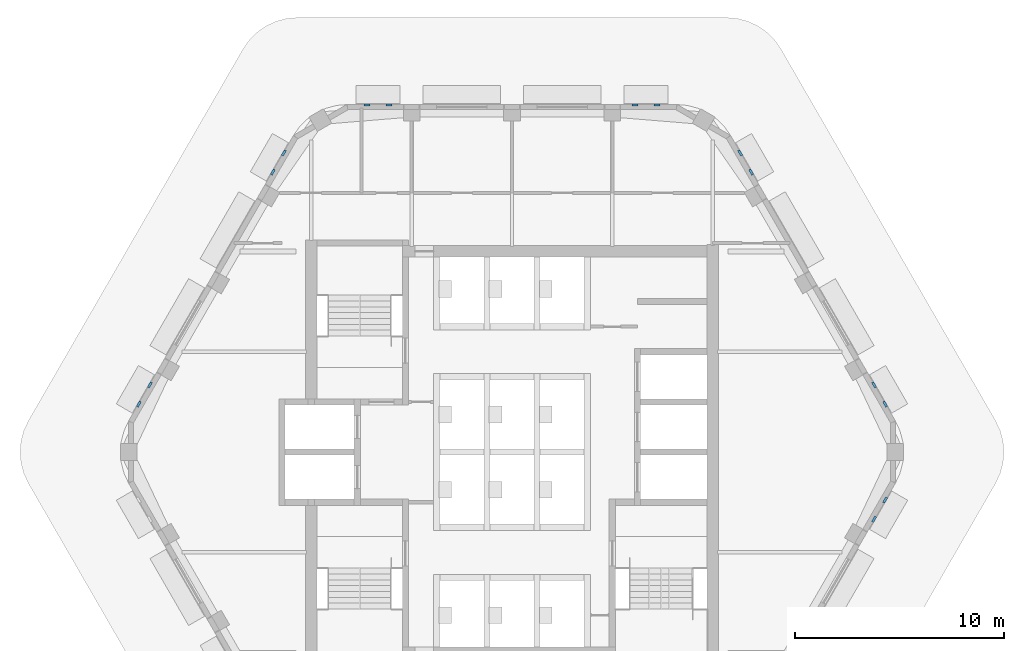
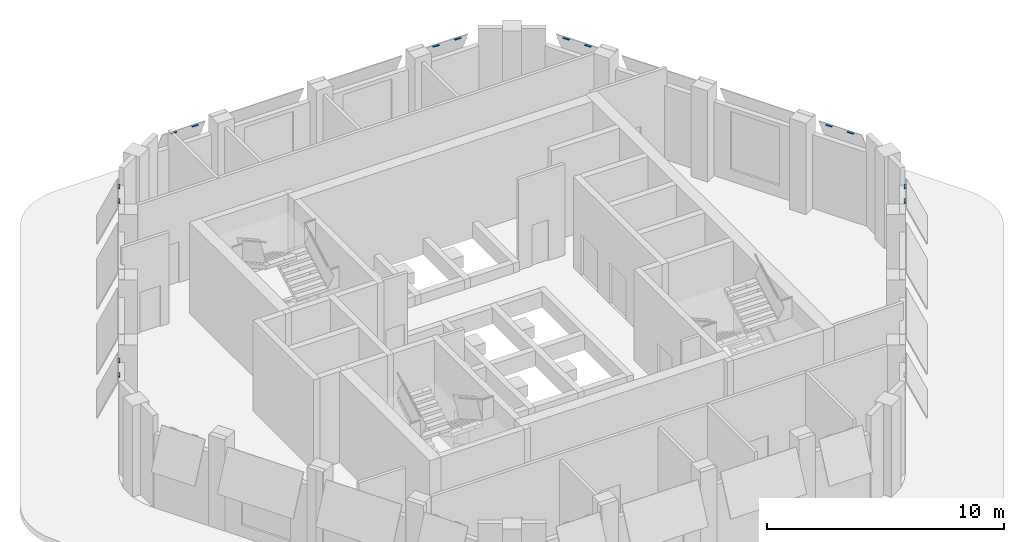
# One storey, part 8 of 9: 14 discrete accessories.
"""IFC4 building model written with IfcOpenShell, lengths in metres."""

from ifc_helpers import new_model, si_unit, direction, frame, origin, origin_2d, place, context, subcontext, project, spatial, rectangle, extrude, element, save


model = new_model("IFC4")

# Units and contexts
model_context = context("Model", 3, precision=1e-05, world=origin(), true_north=direction((0.0, 1.0)))
body_context = subcontext(model_context, "Body", "Model", "MODEL_VIEW")
ifc_project = project(units=[si_unit("LENGTHUNIT", "METRE"), si_unit("AREAUNIT", "SQUARE_METRE"), si_unit("VOLUMEUNIT", "CUBIC_METRE"), si_unit("PLANEANGLEUNIT", "RADIAN"), si_unit("MASSUNIT", "GRAM", prefix="KILO")], contexts=[model_context])

# Site, building, storey
site_placement = place(None, origin())
site = spatial("IfcSite", under=ifc_project, at=site_placement, CompositionType="ELEMENT")
building_placement = place(site_placement, origin())
building = spatial("IfcBuilding", under=site, at=building_placement, Name="Kolab Exchange Tower", CompositionType="ELEMENT")
storey_placement = place(building_placement, frame((0.0, 0.0, 296.89990234375)))
storey = spatial("IfcBuildingStorey", under=building, at=storey_placement, Name="L67", CompositionType="ELEMENT", Elevation=296.89990234375)

# Discrete accessories
for number, where, z_axis, x_axis, name in (
    (1, (-5.87939453125, 16.552490234375, 4.3701171875), (0.0, 1.0, 0.0), (-1.0, 0.0, 0.0), "Panel cleat"),
    (2, (-6.9384765625, 16.552490234375, 4.3701171875), (0.0, 1.0, 0.0), (-1.0, 0.0, 0.0), "Panel cleat"),
    (3, (6.9384765625, 16.552490234375, 4.3701171875), (0.0, 1.0, 0.0), (-1.0, 0.0, 0.0), "Panel cleat"),
    (4, (5.87939453125, 16.552490234375, 4.3701171875), (0.0, 1.0, 0.0), (-1.0, 0.0, 0.0), "Panel cleat"),
):
    element("IfcDiscreteAccessory", number, at=place(storey_placement, frame(where, z_axis=z_axis, x_axis=x_axis)), inside=storey, Name=name, ObjectType="PANEL CLEAT", PredefinedType="USERDEFINED", context=body_context, shape_type="SweptSolid", body=[
        extrude(rectangle(XDim=0.300048828125, YDim=0.0400390625, at=origin_2d()), origin(), (0.0, 0.0, 1.0), 0.110107421875),
    ])
discrete_accessory_1_placement = place(storey_placement, frame((11.395263671875, 13.3681640625, 4.3701171875), z_axis=(0.866185586049, 0.49972245349, 0.0), x_axis=(-0.49972245349, 0.866185586049, 0.0)))
element("IfcDiscreteAccessory", 5, at=discrete_accessory_1_placement, inside=storey, Name="Panel cleat", ObjectType="PANEL CLEAT", PredefinedType="USERDEFINED", context=body_context, shape_type="SweptSolid", body=[
    extrude(rectangle(XDim=0.300048828125, YDim=0.0400390625, at=origin_2d()), origin(), (0.0, 0.0, 1.0), 0.10986328125),
])
discrete_accessory_2_placement = place(storey_placement, frame((10.86572265625, 14.28515625, 4.3701171875), z_axis=(0.86673862023, 0.498762633125, 0.0), x_axis=(-0.498762633125, 0.86673862023, 0.0)))
element("IfcDiscreteAccessory", 6, at=discrete_accessory_2_placement, inside=storey, Name="Panel cleat", ObjectType="PANEL CLEAT", PredefinedType="USERDEFINED", context=body_context, shape_type="SweptSolid", body=[
    extrude(rectangle(XDim=0.300048828125, YDim=0.0400390625, at=origin_2d()), origin(), (0.0, 0.0, 1.0), 0.110107421875),
])
discrete_accessory_3_placement = place(storey_placement, frame((17.80419921875, 2.267333984375, 4.3701171875), z_axis=(0.865779801825, 0.500425153996, 0.0), x_axis=(-0.500425153996, 0.865779801825, 0.0)))
element("IfcDiscreteAccessory", 7, at=discrete_accessory_3_placement, inside=storey, Name="Panel cleat", ObjectType="PANEL CLEAT", PredefinedType="USERDEFINED", context=body_context, shape_type="SweptSolid", body=[
    extrude(rectangle(XDim=0.300048828125, YDim=0.0400390625, at=origin_2d()), origin(), (0.0, 0.0, 1.0), 0.1103515625),
])
for number, where, z_axis, x_axis, name in (
    (8, (17.27490234375, 3.1845703125, 4.3701171875), (0.866185586049, 0.49972245349, 0.0), (-0.49972245349, 0.866185586049, 0.0), "Panel cleat"),
    (9, (17.27490234375, -3.1845703125, 4.3701171875), (0.866185586049, -0.49972245349, 0.0), (0.49972245349, 0.866185586049, 0.0), "Panel cleat"),
):
    element("IfcDiscreteAccessory", number, at=place(storey_placement, frame(where, z_axis=z_axis, x_axis=x_axis)), inside=storey, Name=name, ObjectType="PANEL CLEAT", PredefinedType="USERDEFINED", context=body_context, shape_type="SweptSolid", body=[
        extrude(rectangle(XDim=0.300048828125, YDim=0.0400390625, at=origin_2d()), origin(), (0.0, 0.0, 1.0), 0.10986328125),
    ])
discrete_accessory_4_placement = place(storey_placement, frame((17.80419921875, -2.267333984375, 4.3701171875), z_axis=(0.865779801825, -0.500425153996, 0.0), x_axis=(0.500425153996, 0.865779801825, 0.0)))
element("IfcDiscreteAccessory", 10, at=discrete_accessory_4_placement, inside=storey, Name="Panel cleat", ObjectType="PANEL CLEAT", PredefinedType="USERDEFINED", context=body_context, shape_type="SweptSolid", body=[
    extrude(rectangle(XDim=0.300048828125, YDim=0.0400390625, at=origin_2d()), origin(), (0.0, 0.0, 1.0), 0.1103515625),
])
discrete_accessory_5_placement = place(storey_placement, frame((-17.27490234375, 3.1845703125, 4.3701171875), z_axis=(-0.866185586049, 0.49972245349, 0.0), x_axis=(-0.49972245349, -0.866185586049, 0.0)))
element("IfcDiscreteAccessory", 11, at=discrete_accessory_5_placement, inside=storey, Name="Panel cleat", ObjectType="PANEL CLEAT", PredefinedType="USERDEFINED", context=body_context, shape_type="SweptSolid", body=[
    extrude(rectangle(XDim=0.300048828125, YDim=0.0400390625, at=origin_2d()), origin(), (0.0, 0.0, 1.0), 0.10986328125),
])
discrete_accessory_6_placement = place(storey_placement, frame((-17.80419921875, 2.267333984375, 4.3701171875), z_axis=(-0.865779801825, 0.500425153996, 0.0), x_axis=(-0.500425153996, -0.865779801825, 0.0)))
element("IfcDiscreteAccessory", 12, at=discrete_accessory_6_placement, inside=storey, Name="Panel cleat", ObjectType="PANEL CLEAT", PredefinedType="USERDEFINED", context=body_context, shape_type="SweptSolid", body=[
    extrude(rectangle(XDim=0.300048828125, YDim=0.0400390625, at=origin_2d()), origin(), (0.0, 0.0, 1.0), 0.1103515625),
])
discrete_accessory_7_placement = place(storey_placement, frame((-10.86572265625, 14.28515625, 4.3701171875), z_axis=(-0.86673862023, 0.498762633125, 0.0), x_axis=(-0.498762633125, -0.86673862023, 0.0)))
element("IfcDiscreteAccessory", 13, at=discrete_accessory_7_placement, inside=storey, Name="Panel cleat", ObjectType="PANEL CLEAT", PredefinedType="USERDEFINED", context=body_context, shape_type="SweptSolid", body=[
    extrude(rectangle(XDim=0.300048828125, YDim=0.0400390625, at=origin_2d()), origin(), (0.0, 0.0, 1.0), 0.110107421875),
])
discrete_accessory_8_placement = place(storey_placement, frame((-11.395263671875, 13.3681640625, 4.3701171875), z_axis=(-0.866185586049, 0.49972245349, 0.0), x_axis=(-0.49972245349, -0.866185586049, 0.0)))
element("IfcDiscreteAccessory", 14, at=discrete_accessory_8_placement, inside=storey, Name="Panel cleat", ObjectType="PANEL CLEAT", PredefinedType="USERDEFINED", context=body_context, shape_type="SweptSolid", body=[
    extrude(rectangle(XDim=0.300048828125, YDim=0.0400390625, at=origin_2d()), origin(), (0.0, 0.0, 1.0), 0.10986328125),
])

save(model, "model.ifc")
